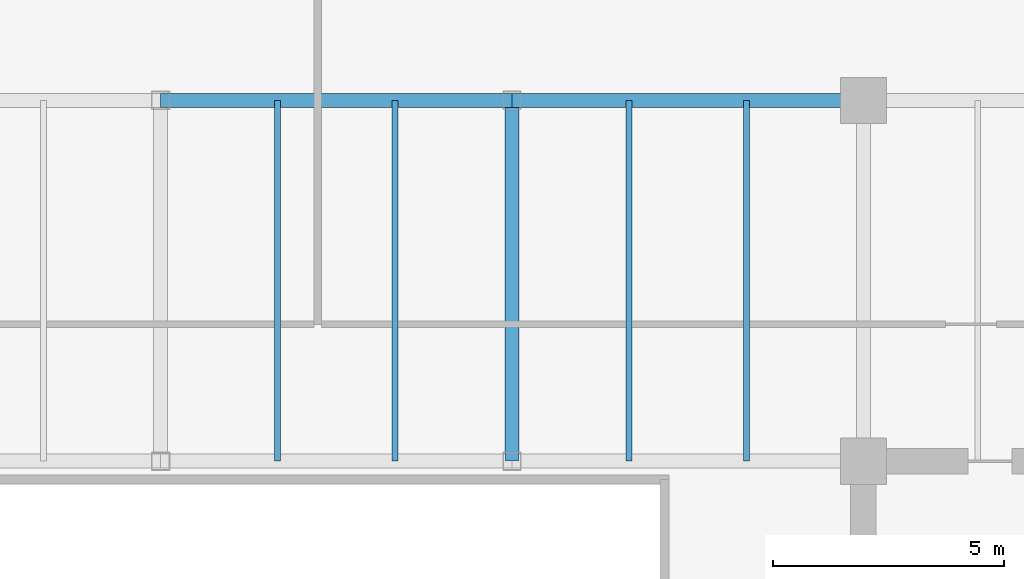
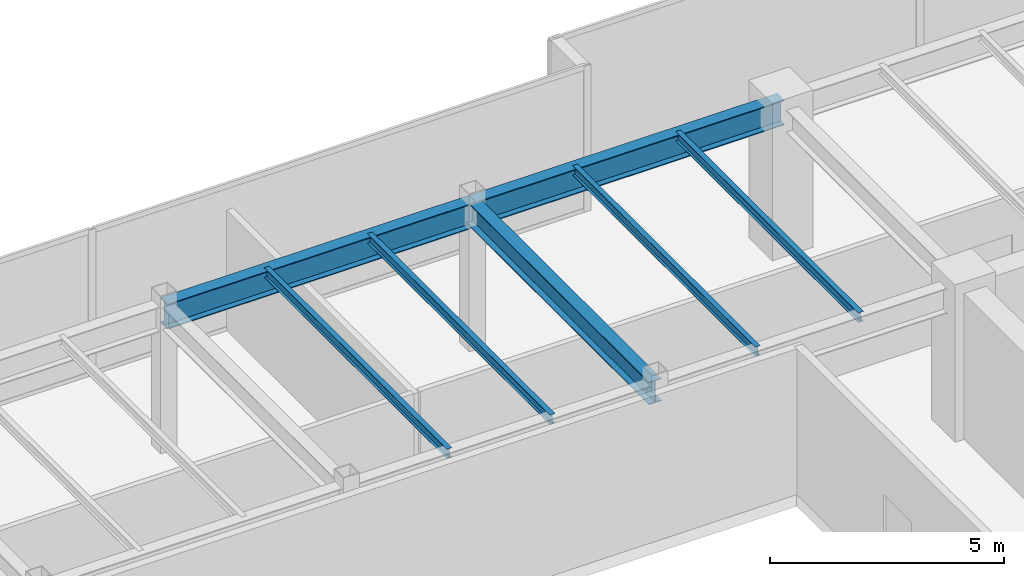
# One storey, part 18 of 33: 7 beams.
"""IFC4 building model written with IfcOpenShell, lengths in metres."""

from ifc_helpers import new_model, si_unit, direction, frame, origin, origin_2d, place, context, subcontext, project, spatial, i_section, extrude, source, transform, mapped, material, material_profile, profile_set, type_object, type_shapes, element, save


model = new_model("IFC4")

# Units and contexts
model_context = context("Model", 3, precision=1e-05, world=origin(), true_north=direction((0.0, 1.0)))
body_context = subcontext(model_context, "Body", "Model", "MODEL_VIEW")
ifc_project = project(units=[si_unit("LENGTHUNIT", "METRE"), si_unit("AREAUNIT", "SQUARE_METRE"), si_unit("VOLUMEUNIT", "CUBIC_METRE"), si_unit("PLANEANGLEUNIT", "RADIAN"), si_unit("MASSUNIT", "GRAM", prefix="KILO")], contexts=[model_context])

# Site, building, storey
site_placement = place(None, origin())
site = spatial("IfcSite", under=ifc_project, at=site_placement, CompositionType="ELEMENT")
building_placement = place(site_placement, origin())
building = spatial("IfcBuilding", under=site, at=building_placement, Name="Haelvirn Gate Laboratories", CompositionType="ELEMENT")
storey_placement = place(building_placement, frame((0.0, 0.0, 279.300048828125)))
storey = spatial("IfcBuildingStorey", under=building, at=storey_placement, Name="L67", CompositionType="ELEMENT", Elevation=279.300048828125)

# Beams
ifc_material = material(Name="Steel SM355", Category="steel")
ifc_material_profile_1 = material_profile(ifc_material, i_section(OverallWidth=0.300048828125, OverallDepth=0.587890625, WebThickness=0.011962890625, FlangeThickness=0.02001953125, at=origin_2d()), Name="H-588x300x12x20")
ifc_profile_set_1 = profile_set([ifc_material_profile_1], Name="Steel SM355")
beam_type_1 = type_object("IfcBeamType", Name="BM-G-588", PredefinedType="BEAM", material=ifc_profile_set_1)
shared_shape_1 = source(origin(), body_context, "Body", "SweptSolid", [
    extrude(i_section(OverallWidth=0.300048828125, OverallDepth=0.587890625, WebThickness=0.011962890625, FlangeThickness=0.02001953125, at=origin_2d()), origin(), (0.0, 0.0, 1.0), 7.800048828125),
])
type_shapes(beam_type_1, [shared_shape_1])
beam_placement = place(storey_placement, frame((45.0, 33.800048828125, 3.505859375), z_axis=(0.0, 1.0, 0.0), x_axis=(-1.0, 0.0, 0.0)))
element("IfcBeam", 1, at=beam_placement, inside=storey, type_object=beam_type_1, Name="L67 Frame Girder X45.0 (33.8-41.6)", PredefinedType="BEAM", context=body_context, shape_type="MappedRepresentation", body=[
    mapped(shared_shape_1, transform((0.0, 0.0, 0.0), scale=1.0)),
])
ifc_material_profile_2 = material_profile(ifc_material, i_section(OverallWidth=0.300048828125, OverallDepth=0.64990234375, WebThickness=0.012939453125, FlangeThickness=0.02197265625, at=origin_2d()), Name="H-650x300x13x22")
ifc_profile_set_2 = profile_set([ifc_material_profile_2], Name="Steel SM355")
beam_type_2 = type_object("IfcBeamType", Name="BM-G-650", PredefinedType="BEAM", material=ifc_profile_set_2)
shared_shape_2 = source(origin(), body_context, "Body", "SweptSolid", [
    extrude(i_section(OverallWidth=0.300048828125, OverallDepth=0.64990234375, WebThickness=0.012939453125, FlangeThickness=0.02197265625, at=origin_2d()), origin(), (0.0, 0.0, 1.0), 7.60009765625),
])
type_shapes(beam_type_2, [shared_shape_2])
for number, where, z_axis, x_axis, name in (
    (2, (37.39990234375, 41.60009765625, 3.474853515625), (1.0, 0.0, 0.0), (0.0, 1.0, 0.0), "L67 Primary Girder Y41.6 (37.4-45.0)"),
    (3, (45.0, 41.60009765625, 3.474853515625), (1.0, 0.0, 0.0), (0.0, 1.0, 0.0), "L67 Primary Girder Y41.6 (45.0-52.6)"),
):
    element("IfcBeam", number, at=place(storey_placement, frame(where, z_axis=z_axis, x_axis=x_axis)), inside=storey, type_object=beam_type_2, Name=name, PredefinedType="BEAM", context=body_context, shape_type="MappedRepresentation", body=[
        mapped(shared_shape_2, transform((0.0, 0.0, 0.0), scale=1.0)),
    ])
ifc_material_profile_3 = material_profile(ifc_material, i_section(OverallWidth=0.125, OverallDepth=0.25, WebThickness=0.006103515625, FlangeThickness=0.009033203125, at=origin_2d()), Name="H-250x125x6x9")
ifc_profile_set_3 = profile_set([ifc_material_profile_3], Name="Steel SM355")
beam_type_3 = type_object("IfcBeamType", Name="BM-J-250", PredefinedType="JOIST", material=ifc_profile_set_3)
shared_shape_3 = source(origin(), body_context, "Body", "SweptSolid", [
    extrude(i_section(OverallWidth=0.125, OverallDepth=0.25, WebThickness=0.006103515625, FlangeThickness=0.009033203125, at=origin_2d()), origin(), (0.0, 0.0, 1.0), 7.800048828125),
])
type_shapes(beam_type_3, [shared_shape_3])
for number, where, z_axis, x_axis, name in (
    (4, (39.929931640625, 33.800048828125, 3.675048828125), (0.0, 1.0, 0.0), (-1.0, 0.0, 0.0), "L67 Composite Lab Joist North X39.93"),
    (5, (42.469970703125, 33.800048828125, 3.675048828125), (0.0, 1.0, 0.0), (-1.0, 0.0, 0.0), "L67 Composite Lab Joist North X42.47"),
    (6, (47.530029296875, 33.800048828125, 3.675048828125), (0.0, 1.0, 0.0), (-1.0, 0.0, 0.0), "L67 Composite Lab Joist North X47.53"),
    (7, (50.070068359375, 33.800048828125, 3.675048828125), (0.0, 1.0, 0.0), (-1.0, 0.0, 0.0), "L67 Composite Lab Joist North X50.07"),
):
    element("IfcBeam", number, at=place(storey_placement, frame(where, z_axis=z_axis, x_axis=x_axis)), inside=storey, type_object=beam_type_3, Name=name, PredefinedType="JOIST", context=body_context, shape_type="MappedRepresentation", body=[
        mapped(shared_shape_3, transform((0.0, 0.0, 0.0), scale=1.0)),
    ])

save(model, "model.ifc")
